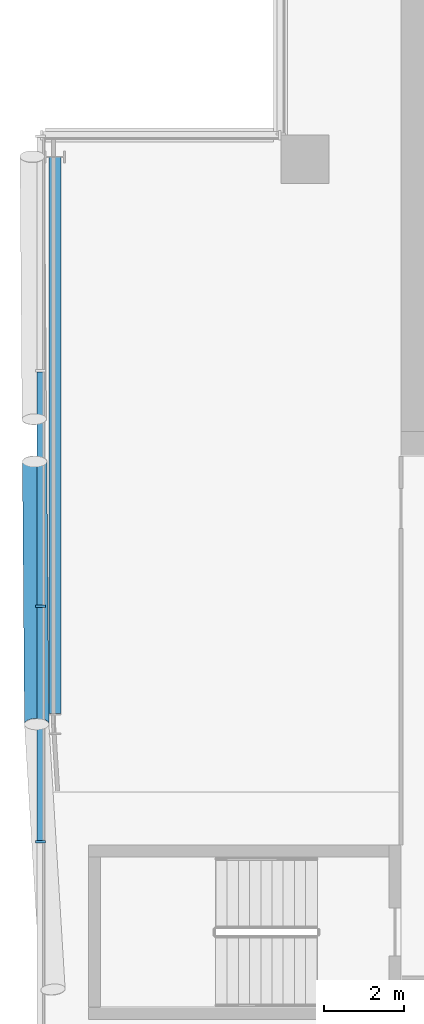
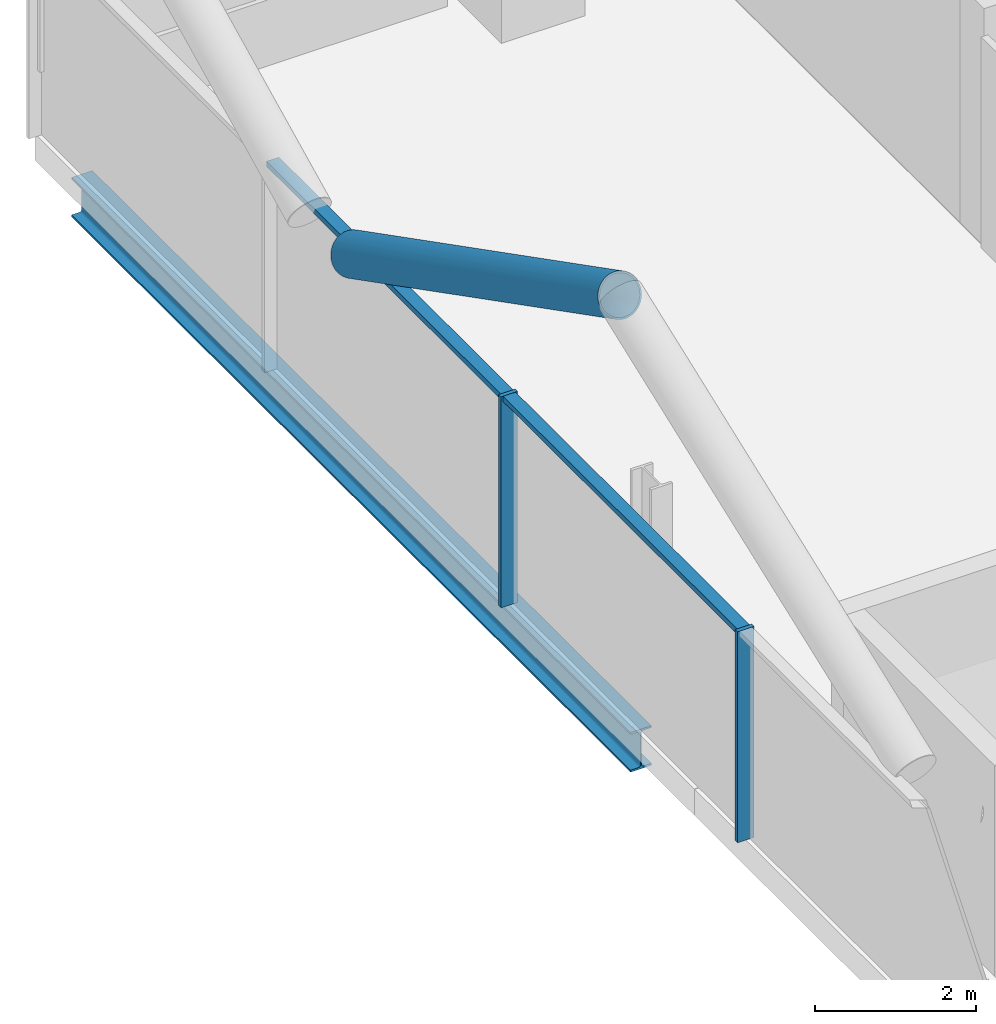
# One storey, part 7 of 26: 5 members, 1 beam, 1 element without a shape of its own.
"""IFC4 building model written with IfcOpenShell, lengths in metres."""

from ifc_helpers import new_model, si_unit, direction, frame, origin, origin_2d, place, context, subcontext, project, spatial, rectangle, hollow_circle, i_section, extrude, material, material_profile, profile_set, type_object, element, aggregate, save


model = new_model("IFC4")

# Units and contexts
model_context = context("Model", 3, precision=1e-05, world=origin(), true_north=direction((0.0, 1.0)))
body_context = subcontext(model_context, "Body", "Model", "MODEL_VIEW")
ifc_project = project(units=[si_unit("LENGTHUNIT", "METRE"), si_unit("AREAUNIT", "SQUARE_METRE"), si_unit("VOLUMEUNIT", "CUBIC_METRE"), si_unit("PLANEANGLEUNIT", "RADIAN"), si_unit("MASSUNIT", "GRAM", prefix="KILO")], contexts=[model_context])

# Site, building, storey
site_placement = place(None, origin())
site = spatial("IfcSite", under=ifc_project, at=site_placement, CompositionType="ELEMENT")
building_placement = place(site_placement, origin())
building = spatial("IfcBuilding", under=site, at=building_placement, Name="Wharfspan Tower", CompositionType="ELEMENT")
storey_placement = place(building_placement, frame((0.0, 0.0, 235.899902)))
storey = spatial("IfcBuildingStorey", under=building, at=storey_placement, Name="L59", CompositionType="ELEMENT", Elevation=235.899902)

# Beam
ifc_material_1 = material(Name="Steel S355J2", Category="steel")
ifc_material_profile_1 = material_profile(ifc_material_1, i_section(OverallWidth=0.300049, OverallDepth=0.600098, WebThickness=0.015381, FlangeThickness=0.030029, FilletRadius=0.0271, at=origin_2d()))
ifc_profile_set_1 = profile_set([ifc_material_profile_1], Name="Steel S355J2")
beam_type = type_object("IfcBeamType", Name="Edge beam HEB 600", PredefinedType="SPANDREL", material=ifc_profile_set_1)
beam_placement = place(storey_placement, frame((14.356934, 41.453125, -0.699951), z_axis=(0.000211, -1.0, 0.0), x_axis=(1.0, 0.000211, 0.0)))
element("IfcBeam", 1, at=beam_placement, inside=storey, type_object=beam_type, Name="Edge beam W L59 PNRW-H.1 to PW.1", PredefinedType="SPANDREL", context=body_context, shape_type="SweptSolid", body=[
    extrude(i_section(OverallWidth=0.300049, OverallDepth=0.600098, WebThickness=0.015381, FlangeThickness=0.030029, FilletRadius=0.0271, at=origin_2d()), origin(), (0.0, 0.0, 1.0), 13.89502),
])

# Curtain wall, members
ifc_material_2 = material(Name="Aluminium 6063-T6", Category="aluminium")
curtain_wall_type = type_object("IfcCurtainWallType", Name="CURTAIN WALL PROW AND END", PredefinedType="NOTDEFINED", material=ifc_material_2)
curtain_wall_placement = place(storey_placement, origin())
curtain_wall = element("IfcCurtainWall", 2, at=curtain_wall_placement, inside=storey, type_object=curtain_wall_type, Name="Curtain wall W", PredefinedType="NOTDEFINED")
ifc_material_profile_2 = material_profile(ifc_material_2, rectangle(XDim=0.23999, YDim=0.060059, at=origin_2d()))
ifc_profile_set_2 = profile_set([ifc_material_profile_2], Name="Aluminium 6063-T6")
member_type_1 = type_object("IfcMemberType", Name="MULLION PROW AND END 60x240", PredefinedType="MULLION", material=ifc_profile_set_2)
member_1_placement = place(storey_placement, frame((14.0, 30.23999, 0.0), z_axis=(0.0, 0.0, 1.0), x_axis=(1.0, 0.0, 0.0)))
member_1 = element("IfcMember", 3, at=member_1_placement, type_object=member_type_1, Name="Curtain wall W mullion 3", PredefinedType="MULLION", context=body_context, shape_type="SweptSolid", body=[
    extrude(rectangle(XDim=0.23999, YDim=0.060059, at=origin_2d()), origin(), (0.0, 0.0, 1.0), 3.200195),
])
member_2_placement = place(storey_placement, frame((14.0, 24.360107, 0.0), z_axis=(0.0, 0.0, 1.0), x_axis=(1.0, 0.0, 0.0)))
member_2 = element("IfcMember", 4, at=member_2_placement, type_object=member_type_1, Name="Curtain wall W mullion 4", PredefinedType="MULLION", context=body_context, shape_type="SweptSolid", body=[
    extrude(rectangle(XDim=0.23999, YDim=0.060059, at=origin_2d()), origin(), (0.0, 0.0, 1.0), 3.200195),
])

# Member
ifc_material_3 = material(Name="Steel S460NH", Category="steel")
ifc_material_profile_3 = material_profile(ifc_material_3, hollow_circle(Radius=0.304932, WallThickness=0.024902, at=origin_2d()))
ifc_profile_set_3 = profile_set([ifc_material_profile_3], Name="Steel S460NH")
member_type_2 = type_object("IfcMemberType", Name="Mega brace CHS 610x25", PredefinedType="BRACE", material=ifc_profile_set_3)
member_3_placement = place(storey_placement, frame((13.853271, 33.849121, 3.169922), z_axis=(0.007044, -0.891361, 0.45324), x_axis=(0.999973, 0.007904, 3e-06)))
element("IfcMember", 5, at=member_3_placement, inside=storey, type_object=member_type_2, Name="Mega brace W3 L59 part 2", PredefinedType="BRACE", context=body_context, shape_type="SweptSolid", body=[
    extrude(hollow_circle(Radius=0.304932, WallThickness=0.024902, at=origin_2d()), origin(), (0.0, 0.0, 1.0), 7.347168),
])

ifc_material_profile_4 = material_profile(ifc_material_2, rectangle(XDim=0.179932, YDim=0.080078, at=origin_2d()))
ifc_profile_set_4 = profile_set([ifc_material_profile_4], Name="Aluminium 6063-T6")
member_type_3 = type_object("IfcMemberType", Name="TRANSOM PROW AND END 80x180", PredefinedType="USERDEFINED", material=ifc_profile_set_4)
member_4_placement = place(storey_placement, frame((14.0, 36.090088, 3.160156), z_axis=(0.0, -1.0, 0.0), x_axis=(1.0, 0.0, 0.0)))
member_4 = element("IfcMember", 6, at=member_4_placement, type_object=member_type_3, Name="Curtain wall W transom 2", ObjectType="TRANSOM", PredefinedType="USERDEFINED", context=body_context, shape_type="SweptSolid", body=[
    extrude(rectangle(XDim=0.179932, YDim=0.080078, at=origin_2d()), origin(), (0.0, 0.0, 1.0), 5.820068),
])

member_5_placement = place(storey_placement, frame((14.0, 30.209961, 3.160156), z_axis=(0.0, -1.0, 0.0), x_axis=(1.0, 0.0, 0.0)))
member_5 = element("IfcMember", 7, at=member_5_placement, type_object=member_type_3, Name="Curtain wall W transom 3", ObjectType="TRANSOM", PredefinedType="USERDEFINED", context=body_context, shape_type="SweptSolid", body=[
    extrude(rectangle(XDim=0.179932, YDim=0.080078, at=origin_2d()), origin(), (0.0, 0.0, 1.0), 5.820068),
])

aggregate(curtain_wall, [member_1, member_2, member_4, member_5])

save(model, "model.ifc")
